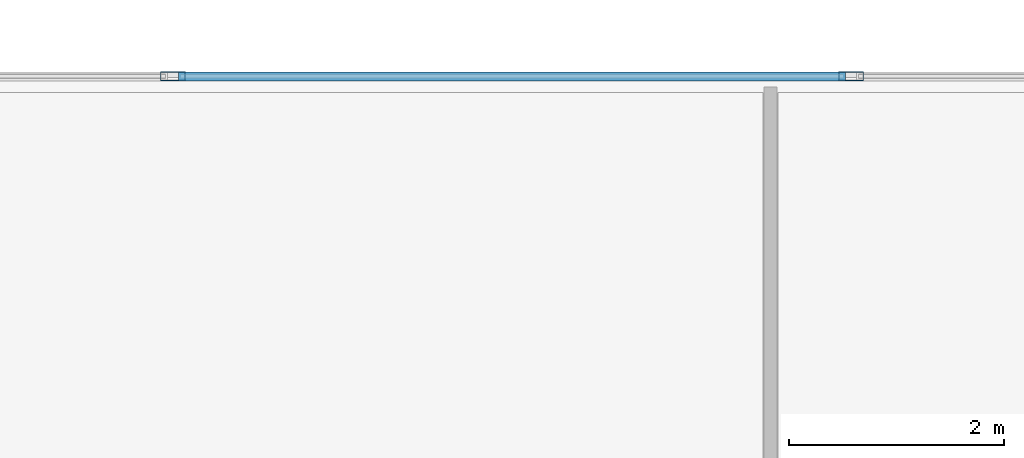
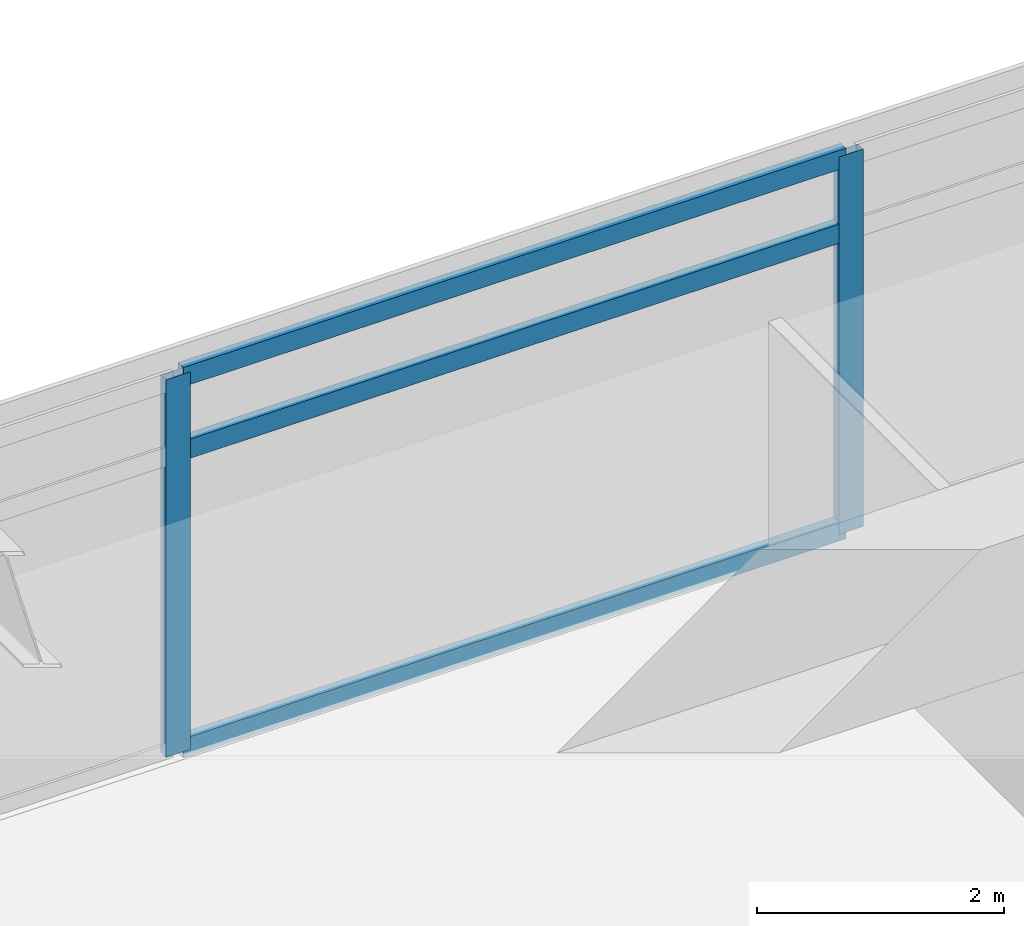
# One storey, part 8 of 21: 5 members, 1 element without a shape of its own.
"""IFC4 building model written with IfcOpenShell, lengths in metres."""

from ifc_helpers import new_model, si_unit, direction, frame, origin, origin_2d, place, context, subcontext, project, spatial, hollow_rectangle, extrude, material, material_profile, profile_set, type_object, element, aggregate, save


model = new_model("IFC4")

# Units and contexts
model_context = context("Model", 3, precision=1e-05, world=origin(), true_north=direction((0.0, 1.0)))
body_context = subcontext(model_context, "Body", "Model", "MODEL_VIEW")
ifc_project = project(units=[si_unit("LENGTHUNIT", "METRE"), si_unit("AREAUNIT", "SQUARE_METRE"), si_unit("VOLUMEUNIT", "CUBIC_METRE"), si_unit("PLANEANGLEUNIT", "RADIAN"), si_unit("MASSUNIT", "GRAM", prefix="KILO")], contexts=[model_context])

# Site, building, storey
site_placement = place(None, origin())
site = spatial("IfcSite", under=ifc_project, at=site_placement, CompositionType="ELEMENT")
building_placement = place(site_placement, origin())
building = spatial("IfcBuilding", under=site, at=building_placement, Name="Kovane Verandah Tower", CompositionType="ELEMENT")
storey_placement = place(building_placement, frame((0.0, 0.0, 176.39990234375)))
storey = spatial("IfcBuildingStorey", under=building, at=storey_placement, Name="L41", CompositionType="ELEMENT", Elevation=176.39990234375)

# Curtain wall, members
ifc_material_1 = material(Name="Champagne Anodised Aluminium Frame with Low-E Clear Laminated Glass", Category="aluminium")
curtain_wall_type = type_object("IfcCurtainWallType", Name="CW-SYS-03-MID", PredefinedType="NOTDEFINED", material=ifc_material_1)
curtain_wall_placement = place(storey_placement, origin())
curtain_wall = element("IfcCurtainWall", 1, at=curtain_wall_placement, inside=storey, type_object=curtain_wall_type, Name="L41 N Unitised Curtain Wall", PredefinedType="NOTDEFINED")
ifc_material_2 = material(Name="Champagne Anodised Aluminium 6063-T6", Category="aluminium")
ifc_material_profile_1 = material_profile(ifc_material_2, hollow_rectangle(XDim=0.0849609375, YDim=0.22998046875, WallThickness=0.00390625, at=origin_2d()), Name="AL85x230x4")
ifc_profile_set_1 = profile_set([ifc_material_profile_1], Name="Champagne Anodised Aluminium 6063-T6")
member_type_1 = type_object("IfcMemberType", Name="CW-MUL-85x230", PredefinedType="MULLION", material=ifc_profile_set_1)
member_1_placement = place(storey_placement, frame((37.760498046875, 49.195068359375, 0.02001953125), z_axis=(0.0, 0.0, 1.0), x_axis=(0.0, 1.0, 0.0)))
member_1 = element("IfcMember", 2, at=member_1_placement, type_object=member_type_1, Name="L41 N Unitised Curtain Wall Mullion 5", PredefinedType="MULLION", context=body_context, shape_type="SweptSolid", body=[
    extrude(hollow_rectangle(XDim=0.0849609375, YDim=0.22998046875, WallThickness=0.00390625, at=origin_2d()), origin(), (0.0, 0.0, 1.0), 3.735107421875),
])
member_2_placement = place(storey_placement, frame((31.4619140625, 49.195068359375, 0.02001953125), z_axis=(0.0, 0.0, 1.0), x_axis=(0.0, 1.0, 0.0)))
member_2 = element("IfcMember", 3, at=member_2_placement, type_object=member_type_1, Name="L41 N Unitised Curtain Wall Mullion 6", PredefinedType="MULLION", context=body_context, shape_type="SweptSolid", body=[
    extrude(hollow_rectangle(XDim=0.0849609375, YDim=0.22998046875, WallThickness=0.00390625, at=origin_2d()), origin(), (0.0, 0.0, 1.0), 3.735107421875),
])
ifc_material_profile_2 = material_profile(ifc_material_2, hollow_rectangle(XDim=0.0849609375, YDim=0.18994140625, WallThickness=0.00390625, at=origin_2d()), Name="AL85x190x4")
ifc_profile_set_2 = profile_set([ifc_material_profile_2], Name="Champagne Anodised Aluminium 6063-T6")
member_type_2 = type_object("IfcMemberType", Name="CW-TRN-85x190", PredefinedType="USERDEFINED", material=ifc_profile_set_2)
member_3_placement = place(storey_placement, frame((37.710693359375, 49.195068359375, 0.050048828125), z_axis=(-1.0, 0.0, 0.0), x_axis=(0.0, -1.0, 0.0)))
member_3 = element("IfcMember", 4, at=member_3_placement, type_object=member_type_2, Name="L41 N Unitised Curtain Wall Transom TB Bay 5", ObjectType="TRANSOM", PredefinedType="USERDEFINED", context=body_context, shape_type="SweptSolid", body=[
    extrude(hollow_rectangle(XDim=0.0849609375, YDim=0.18994140625, WallThickness=0.00390625, at=origin_2d()), origin(), (0.0, 0.0, 1.0), 6.198974609375),
])
member_4_placement = place(storey_placement, frame((37.710693359375, 49.195068359375, 2.9951171875), z_axis=(-1.0, 0.0, 0.0), x_axis=(0.0, -1.0, 0.0)))
member_4 = element("IfcMember", 5, at=member_4_placement, type_object=member_type_2, Name="L41 N Unitised Curtain Wall Transom TM Bay 5", ObjectType="TRANSOM", PredefinedType="USERDEFINED", context=body_context, shape_type="SweptSolid", body=[
    extrude(hollow_rectangle(XDim=0.0849609375, YDim=0.18994140625, WallThickness=0.00390625, at=origin_2d()), origin(), (0.0, 0.0, 1.0), 6.198974609375),
])
member_5_placement = place(storey_placement, frame((37.710693359375, 49.195068359375, 3.72509765625), z_axis=(-1.0, 0.0, 0.0), x_axis=(0.0, -1.0, 0.0)))
member_5 = element("IfcMember", 6, at=member_5_placement, type_object=member_type_2, Name="L41 N Unitised Curtain Wall Transom TT Bay 5", ObjectType="TRANSOM", PredefinedType="USERDEFINED", context=body_context, shape_type="SweptSolid", body=[
    extrude(hollow_rectangle(XDim=0.0849609375, YDim=0.18994140625, WallThickness=0.00390625, at=origin_2d()), origin(), (0.0, 0.0, 1.0), 6.198974609375),
])
aggregate(curtain_wall, [member_1, member_2, member_3, member_4, member_5])

save(model, "model.ifc")
